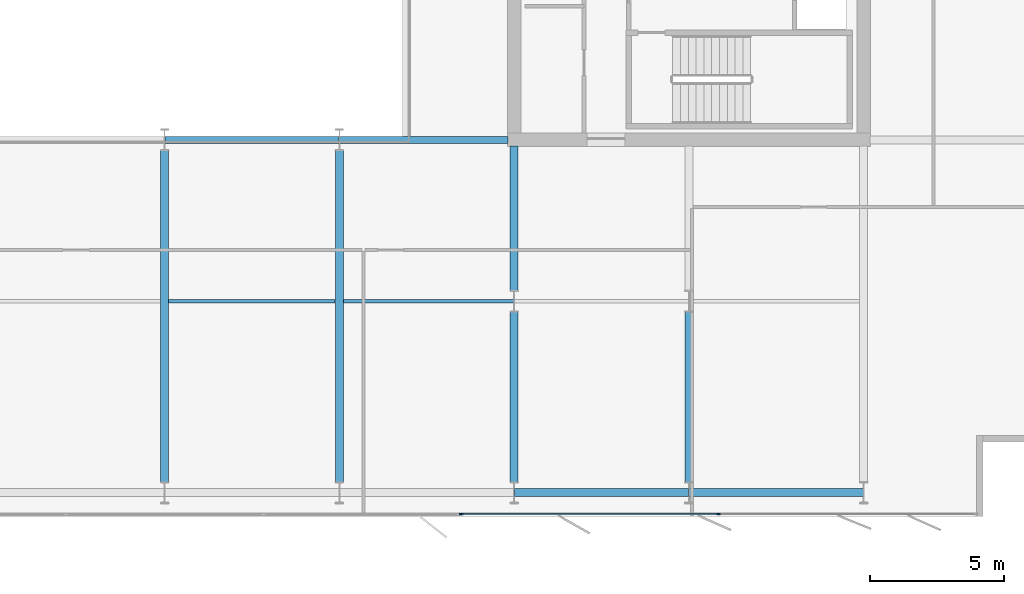
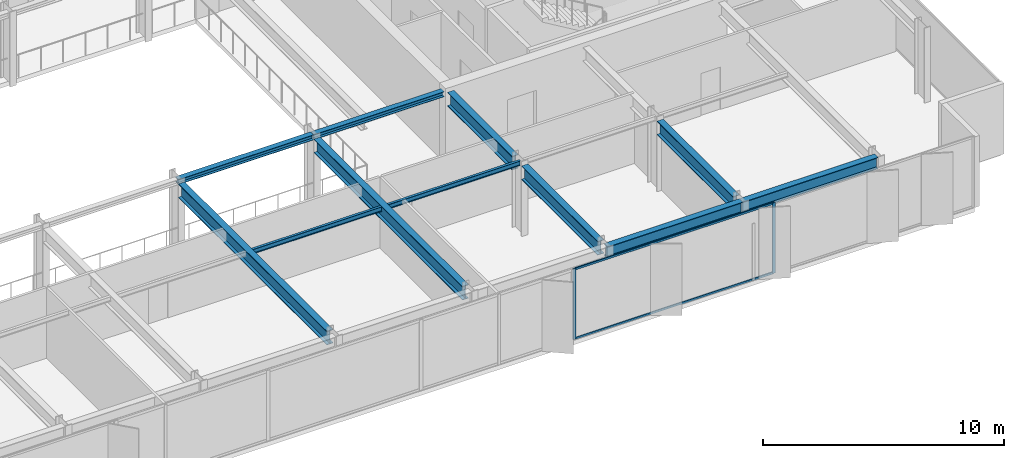
# One storey, part 7 of 23: 11 beams, 4 members, 1 element without a shape of its own.
"""IFC4 building model written with IfcOpenShell, lengths in metres."""

from ifc_helpers import new_model, si_unit, direction, frame, origin, origin_2d, place, context, subcontext, project, spatial, rectangle, i_section, extrude, material, layer, layer_set, material_profile, profile_set, type_object, element, aggregate, save


model = new_model("IFC4")

# Units and contexts
model_context = context("Model", 3, precision=1e-05, world=origin(), true_north=direction((0.0, 1.0)))
body_context = subcontext(model_context, "Body", "Model", "MODEL_VIEW")
ifc_project = project(units=[si_unit("LENGTHUNIT", "METRE"), si_unit("AREAUNIT", "SQUARE_METRE"), si_unit("VOLUMEUNIT", "CUBIC_METRE"), si_unit("PLANEANGLEUNIT", "RADIAN"), si_unit("MASSUNIT", "GRAM", prefix="KILO")], contexts=[model_context])

# Site, building, storey
site_placement = place(None, origin())
site = spatial("IfcSite", under=ifc_project, at=site_placement, CompositionType="ELEMENT")
building_placement = place(site_placement, origin())
building = spatial("IfcBuilding", under=site, at=building_placement, Name="Putna Gate Headquarters", CompositionType="ELEMENT")
storey_placement = place(building_placement, frame((0.0, 0.0, 229.0)))
storey = spatial("IfcBuildingStorey", under=building, at=storey_placement, Name="L57", CompositionType="ELEMENT", Elevation=229.0)

# Beams
ifc_material_1 = material(Name="Steel S355J2", Category="steel")
ifc_material_profile_1 = material_profile(ifc_material_1, i_section(OverallWidth=0.260009765625, OverallDepth=0.260009765625, WebThickness=0.010009765625, FlangeThickness=0.017578125, at=origin_2d()), Name="Steel S355J2")
ifc_profile_set_1 = profile_set([ifc_material_profile_1], Name="Steel S355J2")
beam_type_1 = type_object("IfcBeamType", Name="BM-ATRIUM-HEB260", PredefinedType="BEAM", material=ifc_profile_set_1)
beam_1_placement = place(storey_placement, frame((39.006103515625, 19.0, 3.449951171875), z_axis=(1.0, 0.0, 0.0), x_axis=(0.0, 1.0, 0.0)))
element("IfcBeam", 1, at=beam_1_placement, inside=storey, type_object=beam_type_1, Name="L57 Atrium Edge Beam AS3", PredefinedType="BEAM", context=body_context, shape_type="SweptSolid", body=[
    extrude(i_section(OverallWidth=0.260009765625, OverallDepth=0.260009765625, WebThickness=0.010009765625, FlangeThickness=0.017578125, at=origin_2d()), origin(), (0.0, 0.0, 1.0), 6.48779296875),
])
beam_2_placement = place(storey_placement, frame((45.506103515625, 19.0, 3.449951171875), z_axis=(1.0, 0.0, 0.0), x_axis=(0.0, 1.0, 0.0)))
element("IfcBeam", 2, at=beam_2_placement, inside=storey, type_object=beam_type_1, Name="L57 Atrium Edge Beam AS4", PredefinedType="BEAM", context=body_context, shape_type="SweptSolid", body=[
    extrude(i_section(OverallWidth=0.260009765625, OverallDepth=0.260009765625, WebThickness=0.010009765625, FlangeThickness=0.017578125, at=origin_2d()), origin(), (0.0, 0.0, 1.0), 6.2587890625),
])
ifc_material_profile_2 = material_profile(ifc_material_1, i_section(OverallWidth=0.300048828125, OverallDepth=0.699951171875, WebThickness=0.01708984375, FlangeThickness=0.031982421875, at=origin_2d()), Name="Steel S355J2")
ifc_profile_set_2 = profile_set([ifc_material_profile_2], Name="Steel S355J2")
beam_type_2 = type_object("IfcBeamType", Name="BM-GIRD-B-HEB700", PredefinedType="USERDEFINED", material=ifc_profile_set_2)
for number, where, z_axis, x_axis, name in (
    (3, (39.0, 6.27490234375, 3.22998046875), (0.0, 1.0, 0.0), (-1.0, 0.0, 0.0), "L57 South Primary Girder X39"),
    (4, (45.5, 6.27490234375, 3.22998046875), (0.0, 1.0, 0.0), (-1.0, 0.0, 0.0), "L57 South Primary Girder X45"),
):
    element("IfcBeam", number, at=place(storey_placement, frame(where, z_axis=z_axis, x_axis=x_axis)), inside=storey, type_object=beam_type_2, Name=name, ObjectType="GIRDER", PredefinedType="USERDEFINED", context=body_context, shape_type="SweptSolid", body=[
        extrude(i_section(OverallWidth=0.300048828125, OverallDepth=0.699951171875, WebThickness=0.01708984375, FlangeThickness=0.031982421875, at=origin_2d()), origin(), (0.0, 0.0, 1.0), 12.330078125),
    ])
beam_3_placement = place(storey_placement, frame((52.0, 6.27490234375, 3.22998046875), z_axis=(0.0, 1.0, 0.0), x_axis=(-1.0, 0.0, 0.0)))
element("IfcBeam", 5, at=beam_3_placement, inside=storey, type_object=beam_type_2, Name="L57 South Primary Girder X52-1", ObjectType="GIRDER", PredefinedType="USERDEFINED", context=body_context, shape_type="SweptSolid", body=[
    extrude(i_section(OverallWidth=0.300048828125, OverallDepth=0.699951171875, WebThickness=0.01708984375, FlangeThickness=0.031982421875, at=origin_2d()), origin(), (0.0, 0.0, 1.0), 6.330078125),
])
beam_4_placement = place(storey_placement, frame((52.0, 13.39501953125, 3.22998046875), z_axis=(0.0, 1.0, 0.0), x_axis=(-1.0, 0.0, 0.0)))
element("IfcBeam", 6, at=beam_4_placement, inside=storey, type_object=beam_type_2, Name="L57 South Primary Girder X52-2", ObjectType="GIRDER", PredefinedType="USERDEFINED", context=body_context, shape_type="SweptSolid", body=[
    extrude(i_section(OverallWidth=0.300048828125, OverallDepth=0.699951171875, WebThickness=0.01708984375, FlangeThickness=0.031982421875, at=origin_2d()), origin(), (0.0, 0.0, 1.0), 5.369873046875),
])
beam_5_placement = place(storey_placement, frame((58.5, 6.27490234375, 3.22998046875), z_axis=(0.0, 1.0, 0.0), x_axis=(-1.0, 0.0, 0.0)))
element("IfcBeam", 7, at=beam_5_placement, inside=storey, type_object=beam_type_2, Name="L57 South Primary Girder X58-1", ObjectType="GIRDER", PredefinedType="USERDEFINED", context=body_context, shape_type="SweptSolid", body=[
    extrude(i_section(OverallWidth=0.300048828125, OverallDepth=0.699951171875, WebThickness=0.01708984375, FlangeThickness=0.031982421875, at=origin_2d()), origin(), (0.0, 0.0, 1.0), 6.330078125),
])
ifc_material_profile_3 = material_profile(ifc_material_1, i_section(OverallWidth=0.1201171875, OverallDepth=0.239990234375, WebThickness=0.006103515625, FlangeThickness=0.009765625, at=origin_2d()), Name="Steel S355J2")
ifc_profile_set_3 = profile_set([ifc_material_profile_3], Name="Steel S355J2")
beam_type_3 = type_object("IfcBeamType", Name="BM-SEC-Z4-IPE240", PredefinedType="JOIST", material=ifc_profile_set_3)
beam_6_placement = place(storey_placement, frame((39.154052734375, 13.0, 3.4599609375), z_axis=(1.0, 0.0, 0.0), x_axis=(0.0, 1.0, 0.0)))
element("IfcBeam", 8, at=beam_6_placement, inside=storey, type_object=beam_type_3, Name="L57 South Secondary Beam 5", PredefinedType="JOIST", context=body_context, shape_type="SweptSolid", body=[
    extrude(i_section(OverallWidth=0.1201171875, OverallDepth=0.239990234375, WebThickness=0.006103515625, FlangeThickness=0.009765625, at=origin_2d()), origin(), (0.0, 0.0, 1.0), 6.19189453125),
])
beam_7_placement = place(storey_placement, frame((45.654052734375, 13.0, 3.4599609375), z_axis=(1.0, 0.0, 0.0), x_axis=(0.0, 1.0, 0.0)))
element("IfcBeam", 9, at=beam_7_placement, inside=storey, type_object=beam_type_3, Name="L57 South Secondary Beam 6", PredefinedType="JOIST", context=body_context, shape_type="SweptSolid", body=[
    extrude(i_section(OverallWidth=0.1201171875, OverallDepth=0.239990234375, WebThickness=0.006103515625, FlangeThickness=0.009765625, at=origin_2d()), origin(), (0.0, 0.0, 1.0), 6.33984375),
])
ifc_material_profile_4 = material_profile(ifc_material_1, i_section(OverallWidth=0.300048828125, OverallDepth=0.590087890625, WebThickness=0.012939453125, FlangeThickness=0.02490234375, at=origin_2d()), Name="Steel S355J2")
ifc_profile_set_4 = profile_set([ifc_material_profile_4], Name="Steel S355J2")
beam_type_4 = type_object("IfcBeamType", Name="BM-SPAN-Z4-HEA600", PredefinedType="SPANDREL", material=ifc_profile_set_4)
for number, where, z_axis, x_axis, name in (
    (10, (52.006103515625, 5.8798828125, 3.284912109375), (1.0, 0.0, 0.0), (0.0, 1.0, 0.0), "L57 S Perimeter Spandrel 7"),
    (11, (58.506103515625, 5.8798828125, 3.284912109375), (1.0, 0.0, 0.0), (0.0, 1.0, 0.0), "L57 S Perimeter Spandrel 8"),
):
    element("IfcBeam", number, at=place(storey_placement, frame(where, z_axis=z_axis, x_axis=x_axis)), inside=storey, type_object=beam_type_4, Name=name, PredefinedType="SPANDREL", context=body_context, shape_type="SweptSolid", body=[
        extrude(i_section(OverallWidth=0.300048828125, OverallDepth=0.590087890625, WebThickness=0.012939453125, FlangeThickness=0.02490234375, at=origin_2d()), origin(), (0.0, 0.0, 1.0), 6.48779296875),
    ])

# Curtain wall, members
ifc_material_2 = material(Name="Anodised bronze aluminium curtain wall", Category="aluminium")
ifc_layer = layer(ifc_material_2, 0.139892578125)
ifc_layer_set = layer_set([ifc_layer], Name="Anodised bronze aluminium curtain wall")
curtain_wall_type = type_object("IfcCurtainWallType", Name="CW-SYS-Z4", PredefinedType="USERDEFINED", material=ifc_layer_set)
curtain_wall_placement = place(storey_placement, origin())
curtain_wall = element("IfcCurtainWall", 12, at=curtain_wall_placement, inside=storey, type_object=curtain_wall_type, Name="L57 South East Curtain Wall", ObjectType="STICK CURTAIN WALL", PredefinedType="USERDEFINED")
ifc_material_3 = material(Name="Anodised bronze aluminium EN AW-6060", Category="aluminium")
ifc_material_profile_5 = material_profile(ifc_material_3, rectangle(XDim=0.06005859375, YDim=0.139892578125, at=origin_2d()), Name="Anodised bronze aluminium EN AW-6060")
ifc_profile_set_5 = profile_set([ifc_material_profile_5], Name="Anodised bronze aluminium EN AW-6060")
member_type_1 = type_object("IfcMemberType", Name="MULL-CWM-4", PredefinedType="MULLION", material=ifc_profile_set_5)
member_1_placement = place(storey_placement, frame((50.030029296875, 5.080078125, 0.0), z_axis=(0.0, 0.0, 1.0), x_axis=(0.0, 1.0, 0.0)))
member_1 = element("IfcMember", 13, at=member_1_placement, type_object=member_type_1, Name="CWS-4 mullion 1", PredefinedType="MULLION", context=body_context, shape_type="SweptSolid", body=[
    extrude(rectangle(XDim=0.06005859375, YDim=0.139892578125, at=origin_2d()), origin(), (0.0, 0.0, 1.0), 3.580078125),
])
member_2_placement = place(storey_placement, frame((59.60009765625, 5.080078125, 0.0), z_axis=(0.0, 0.0, 1.0), x_axis=(0.0, 1.0, 0.0)))
member_2 = element("IfcMember", 14, at=member_2_placement, type_object=member_type_1, Name="CWS-4 mullion 2", PredefinedType="MULLION", context=body_context, shape_type="SweptSolid", body=[
    extrude(rectangle(XDim=0.06005859375, YDim=0.139892578125, at=origin_2d()), origin(), (0.0, 0.0, 1.0), 3.580078125),
])
ifc_material_profile_6 = material_profile(ifc_material_3, rectangle(XDim=0.06005859375, YDim=0.10009765625, at=origin_2d()), Name="Anodised bronze aluminium EN AW-6060")
ifc_profile_set_6 = profile_set([ifc_material_profile_6], Name="Anodised bronze aluminium EN AW-6060")
member_type_2 = type_object("IfcMemberType", Name="TRAN-CWT-4", PredefinedType="USERDEFINED", material=ifc_profile_set_6)
member_3_placement = place(storey_placement, frame((50.06005859375, 5.080078125, 0.030029296875), z_axis=(1.0, 0.0, 0.0), x_axis=(0.0, 1.0, 0.0)))
member_3 = element("IfcMember", 15, at=member_3_placement, type_object=member_type_2, Name="CWS-4 transom 1.1", ObjectType="TRANSOM", PredefinedType="USERDEFINED", context=body_context, shape_type="SweptSolid", body=[
    extrude(rectangle(XDim=0.06005859375, YDim=0.10009765625, at=origin_2d()), origin(), (0.0, 0.0, 1.0), 9.510009765625),
])
member_4_placement = place(storey_placement, frame((50.06005859375, 5.080078125, 3.550048828125), z_axis=(1.0, 0.0, 0.0), x_axis=(0.0, 1.0, 0.0)))
member_4 = element("IfcMember", 16, at=member_4_placement, type_object=member_type_2, Name="CWS-4 transom 1.2", ObjectType="TRANSOM", PredefinedType="USERDEFINED", context=body_context, shape_type="SweptSolid", body=[
    extrude(rectangle(XDim=0.06005859375, YDim=0.10009765625, at=origin_2d()), origin(), (0.0, 0.0, 1.0), 9.510009765625),
])
aggregate(curtain_wall, [member_1, member_2, member_3, member_4])

save(model, "model.ifc")
